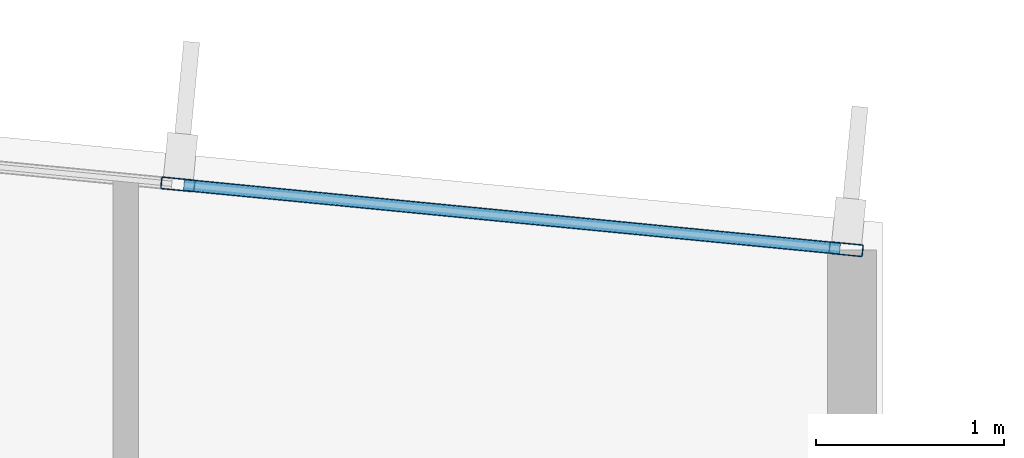
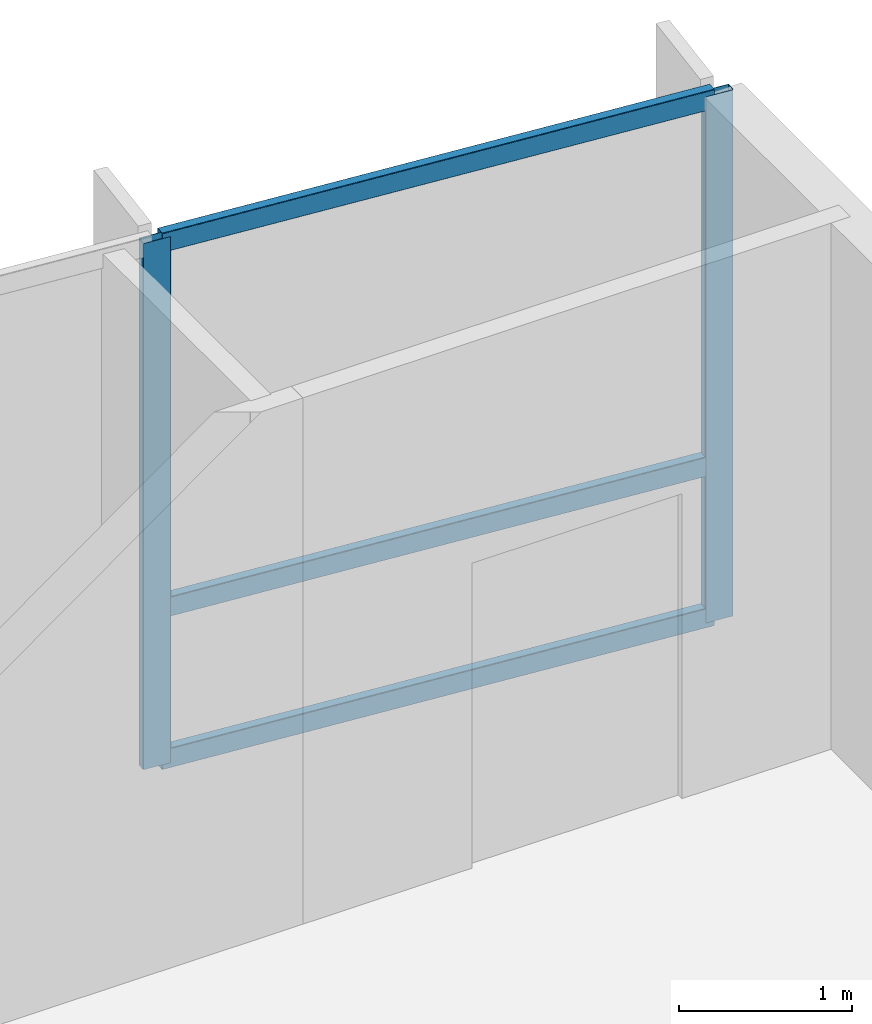
# One storey, part 8 of 15: 5 members, 1 element without a shape of its own.
"""IFC4 building model written with IfcOpenShell, lengths in metres."""

from ifc_helpers import new_model, si_unit, direction, frame, origin, origin_2d, place, context, subcontext, project, spatial, hollow_rectangle, extrude, material, layer, layer_set, material_profile, profile_set, type_object, element, aggregate, save


model = new_model("IFC4")

# Units and contexts
model_context = context("Model", 3, precision=1e-05, world=origin(), true_north=direction((0.0, 1.0)))
body_context = subcontext(model_context, "Body", "Model", "MODEL_VIEW")
ifc_project = project(units=[si_unit("LENGTHUNIT", "METRE"), si_unit("AREAUNIT", "SQUARE_METRE"), si_unit("VOLUMEUNIT", "CUBIC_METRE"), si_unit("PLANEANGLEUNIT", "RADIAN"), si_unit("MASSUNIT", "GRAM", prefix="KILO")], contexts=[model_context])

# Site, building, storey
site_placement = place(None, origin())
site = spatial("IfcSite", under=ifc_project, at=site_placement, CompositionType="ELEMENT")
building_placement = place(site_placement, origin())
building = spatial("IfcBuilding", under=site, at=building_placement, Name="Varnakote Quay Hospital", CompositionType="ELEMENT")
storey_placement = place(building_placement, frame((0.0, 0.0, 276.300048828125)))
storey = spatial("IfcBuildingStorey", under=building, at=storey_placement, Name="L68", CompositionType="ELEMENT", Elevation=276.300048828125)

# Curtain wall, members
ifc_material_1 = material(Name="Anodised aluminium 6063-T6 Bronze", Category="aluminium")
ifc_layer = layer(ifc_material_1, 0.235107421875)
ifc_layer_set = layer_set([ifc_layer], Name="Anodised aluminium 6063-T6 Bronze")
curtain_wall_type = type_object("IfcCurtainWallType", Name="CW-SYS-5", PredefinedType="NOTDEFINED", material=ifc_layer_set)
curtain_wall_placement = place(storey_placement, origin())
curtain_wall = element("IfcCurtainWall", 1, at=curtain_wall_placement, inside=storey, type_object=curtain_wall_type, Name="L68 Unitised Bronze Curtain Wall 1", PredefinedType="NOTDEFINED")
ifc_material_2 = material(Name="Anodised aluminium 6063-T6 Bronze", Category="aluminium")
ifc_material_profile_1 = material_profile(ifc_material_2, hollow_rectangle(XDim=0.06494140625, YDim=0.179931640625, WallThickness=0.00390625, InnerFilletRadius=0.00390625, OuterFilletRadius=0.008056640625, at=origin_2d()), Name="CW-MULL-180x65")
ifc_profile_set_1 = profile_set([ifc_material_profile_1], Name="Anodised aluminium 6063-T6 Bronze")
member_type_1 = type_object("IfcMemberType", Name="CW-MULL-180x65", PredefinedType="MULLION", material=ifc_profile_set_1)
member_1_placement = place(storey_placement, frame((38.707763671875, 28.557861328125, 0.0), z_axis=(0.0, 0.0, 1.0), x_axis=(-0.096568970683, -0.995326295192, 0.0)))
member_1 = element("IfcMember", 2, at=member_1_placement, type_object=member_type_1, Name="-5-L68-1 mullion 1", PredefinedType="MULLION", context=body_context, shape_type="SweptSolid", body=[
    extrude(hollow_rectangle(XDim=0.06494140625, YDim=0.179931640625, WallThickness=0.00390625, InnerFilletRadius=0.00390625, OuterFilletRadius=0.008056640625, at=origin_2d()), origin(), (0.0, 0.0, 1.0), 3.7099609375),
])
member_2_placement = place(storey_placement, frame((35.15771484375, 28.90234375, 0.0), z_axis=(0.0, 0.0, 1.0), x_axis=(-0.096568970683, -0.995326295192, 0.0)))
member_2 = element("IfcMember", 3, at=member_2_placement, type_object=member_type_1, Name="-5-L68-1 mullion 2", PredefinedType="MULLION", context=body_context, shape_type="SweptSolid", body=[
    extrude(hollow_rectangle(XDim=0.06494140625, YDim=0.179931640625, WallThickness=0.00390625, InnerFilletRadius=0.00390625, OuterFilletRadius=0.008056640625, at=origin_2d()), origin(), (0.0, 0.0, 1.0), 3.7099609375),
])
ifc_material_3 = material(Name="Anodised aluminium 6063-T6 Bronze", Category="aluminium")
ifc_material_profile_2 = material_profile(ifc_material_3, hollow_rectangle(XDim=0.06494140625, YDim=0.139892578125, WallThickness=0.00390625, InnerFilletRadius=0.00390625, OuterFilletRadius=0.007568359375, at=origin_2d()), Name="CW-TRAN-140x65")
ifc_profile_set_2 = profile_set([ifc_material_profile_2], Name="Anodised aluminium 6063-T6 Bronze")
member_type_2 = type_object("IfcMemberType", Name="CW-TRAN-140x65", PredefinedType="USERDEFINED", material=ifc_profile_set_2)
member_3_placement = place(storey_placement, frame((38.67529296875, 28.56103515625, 0.032470703125), z_axis=(-0.995326912616, 0.096562606751, 0.0), x_axis=(-0.096562606751, -0.995326912616, 0.0)))
member_3 = element("IfcMember", 4, at=member_3_placement, type_object=member_type_2, Name="-5-L68-1 transom 1.1", ObjectType="TRANSOM", PredefinedType="USERDEFINED", context=body_context, shape_type="SweptSolid", body=[
    extrude(hollow_rectangle(XDim=0.06494140625, YDim=0.139892578125, WallThickness=0.00390625, InnerFilletRadius=0.00390625, OuterFilletRadius=0.007568359375, at=origin_2d()), origin(), (0.0, 0.0, 1.0), 3.501708984375),
])
member_4_placement = place(storey_placement, frame((38.67529296875, 28.56103515625, 1.099853515625), z_axis=(-0.995326912616, 0.096562606751, 0.0), x_axis=(-0.096562606751, -0.995326912616, 0.0)))
member_4 = element("IfcMember", 5, at=member_4_placement, type_object=member_type_2, Name="-5-L68-1 transom 1.2", ObjectType="TRANSOM", PredefinedType="USERDEFINED", context=body_context, shape_type="SweptSolid", body=[
    extrude(hollow_rectangle(XDim=0.06494140625, YDim=0.139892578125, WallThickness=0.00390625, InnerFilletRadius=0.00390625, OuterFilletRadius=0.007568359375, at=origin_2d()), origin(), (0.0, 0.0, 1.0), 3.501708984375),
])
member_5_placement = place(storey_placement, frame((38.67529296875, 28.56103515625, 3.677490234375), z_axis=(-0.995326912616, 0.096562606751, 0.0), x_axis=(-0.096562606751, -0.995326912616, 0.0)))
member_5 = element("IfcMember", 6, at=member_5_placement, type_object=member_type_2, Name="-5-L68-1 transom 1.3", ObjectType="TRANSOM", PredefinedType="USERDEFINED", context=body_context, shape_type="SweptSolid", body=[
    extrude(hollow_rectangle(XDim=0.06494140625, YDim=0.139892578125, WallThickness=0.00390625, InnerFilletRadius=0.00390625, OuterFilletRadius=0.007568359375, at=origin_2d()), origin(), (0.0, 0.0, 1.0), 3.501708984375),
])
aggregate(curtain_wall, [member_1, member_2, member_3, member_4, member_5])

save(model, "model.ifc")
